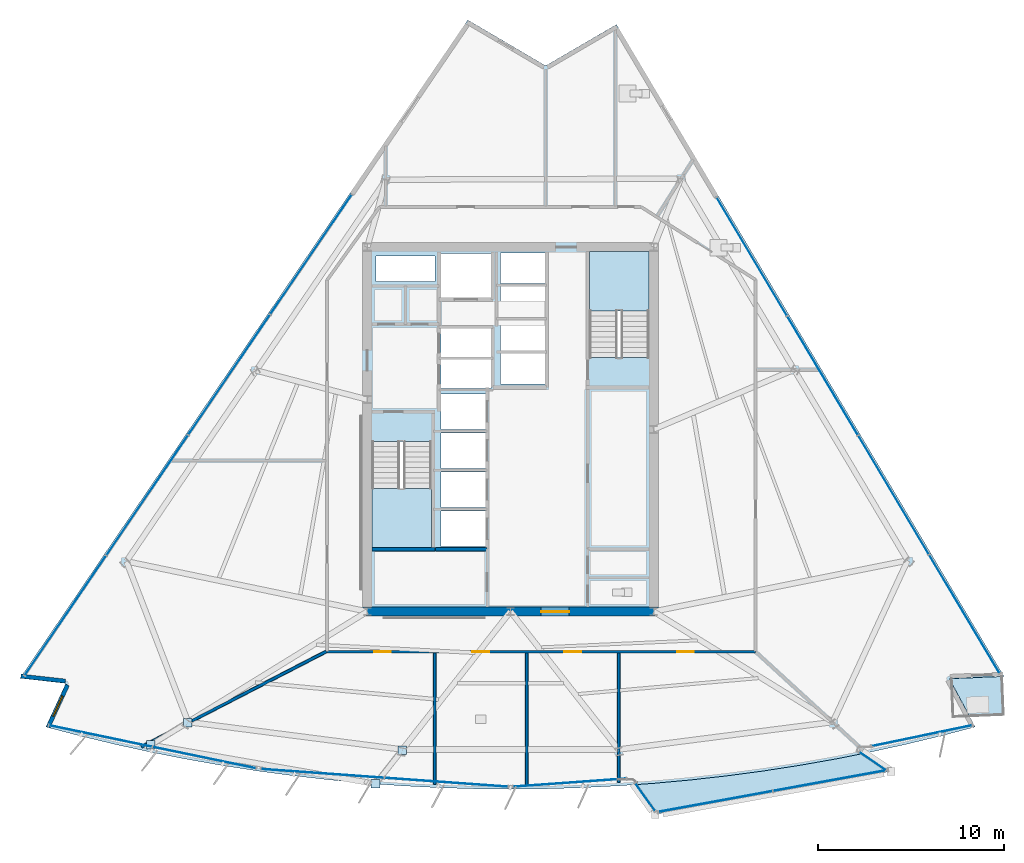
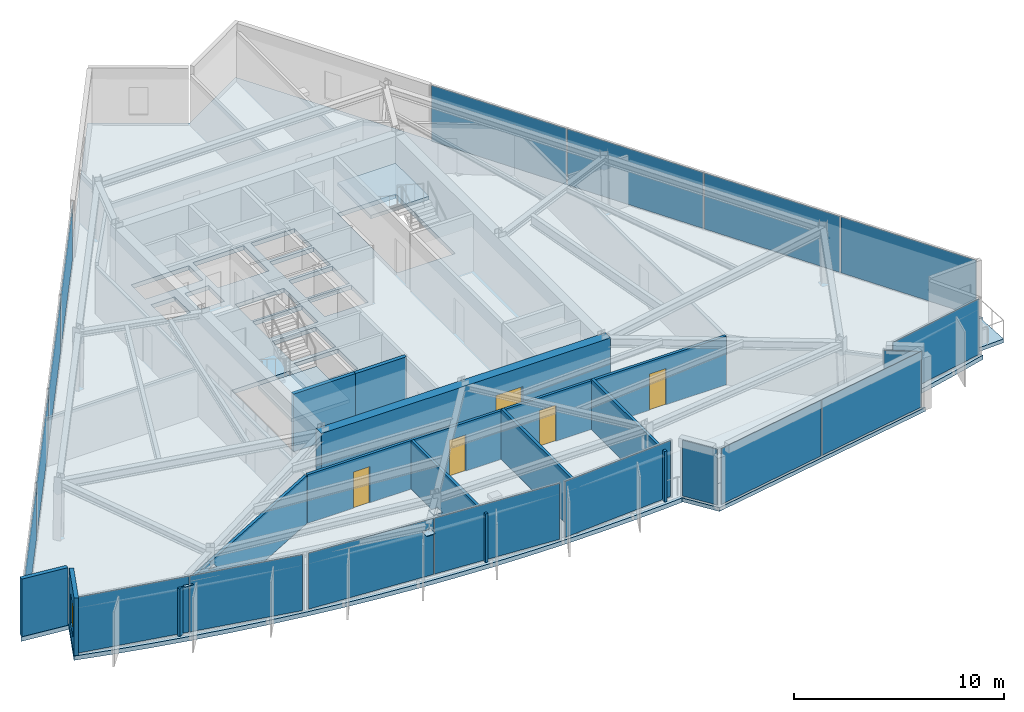
# One storey, part 7 of 13: 22 plates, 10 walls, 5 doors, 5 slabs, 1 window, 6 openings, 11 elements without a shape of their own.
"""IFC4 building model written with IfcOpenShell, lengths in metres."""

from ifc_helpers import new_model, si_unit, direction, frame, frame_2d, origin, origin_2d, place, context, subcontext, project, spatial, polyline, rectangle, outline, extrude, material, layer, layer_set, type_object, element, fill, aggregate, save


model = new_model("IFC4")

# Units and contexts
model_context = context("Model", 3, precision=1e-05, world=origin(), true_north=direction((0.0, 1.0)))
body_context = subcontext(model_context, "Body", "Model", "MODEL_VIEW")
ifc_project = project(units=[si_unit("LENGTHUNIT", "METRE"), si_unit("AREAUNIT", "SQUARE_METRE"), si_unit("VOLUMEUNIT", "CUBIC_METRE"), si_unit("PLANEANGLEUNIT", "RADIAN"), si_unit("MASSUNIT", "GRAM", prefix="KILO")], contexts=[model_context])

# Site, building, storey
site_placement = place(None, origin())
site = spatial("IfcSite", under=ifc_project, at=site_placement, CompositionType="ELEMENT")
building_placement = place(site_placement, origin())
building = spatial("IfcBuilding", under=site, at=building_placement, Name="Savorim Split Tower", CompositionType="ELEMENT")
storey_placement = place(building_placement, frame((0.0, 0.0, 174.60009765625)))
storey = spatial("IfcBuildingStorey", under=building, at=storey_placement, Name="L46", CompositionType="ELEMENT", Elevation=174.60009765625)

# Curtain wall, plates
ifc_material_1 = material(Name="Dark Ceramic-Fritted Insulated Glass", Category="glass")
curtain_wall_type_1 = type_object("IfcCurtainWallType", Name="CW-TWR-FRIT-B", PredefinedType="NOTDEFINED", material=ifc_material_1)
curtain_wall_1_placement = place(storey_placement, origin())
curtain_wall_1 = element("IfcCurtainWall", 1, at=curtain_wall_1_placement, inside=storey, type_object=curtain_wall_type_1, Name="L46 Curtain Wall CW-L46-SF1A", PredefinedType="NOTDEFINED")
ifc_layer_1 = layer(ifc_material_1, 0.02587890625)
ifc_layer_set_1 = layer_set([ifc_layer_1], Name="CWP-FRITB-26")
plate_type_1 = type_object("IfcPlateType", Name="CWP-FRITB-26", PredefinedType="CURTAIN_PANEL", material=ifc_layer_set_1)
plate_1_placement = place(storey_placement, frame((-22.048583984375, -16.09619140625, 0.0498046875), z_axis=(0.0, 0.0, 1.0), x_axis=(0.979133837467, -0.20321645683, 0.0)))
plate_1 = element("IfcPlate", 2, at=plate_1_placement, type_object=plate_type_1, Name="CW-03 panel 1.1", PredefinedType="CURTAIN_PANEL", context=body_context, shape_type="SweptSolid", body=[
    extrude(rectangle(XDim=5.642333984375, YDim=0.02587890625, at=origin_2d()), origin(), (0.0, 0.0, 1.0), 3.25),
])
plate_2_placement = place(storey_placement, frame((-16.46533203125, -17.255126953125, 0.0498046875), z_axis=(0.0, 0.0, 1.0), x_axis=(0.979133837467, -0.20321645683, 0.0)))
plate_2 = element("IfcPlate", 3, at=plate_2_placement, type_object=plate_type_1, Name="CW-03 panel 2.1", PredefinedType="CURTAIN_PANEL", context=body_context, shape_type="SweptSolid", body=[
    extrude(rectangle(XDim=5.642333984375, YDim=0.02587890625, at=origin_2d()), origin(), (0.0, 0.0, 1.0), 3.25),
])
aggregate(curtain_wall_1, [plate_1, plate_2])

curtain_wall_2_placement = place(storey_placement, origin())
curtain_wall_2 = element("IfcCurtainWall", 4, at=curtain_wall_2_placement, inside=storey, type_object=curtain_wall_type_1, Name="L46 Curtain Wall CW-L46-SF2A", PredefinedType="NOTDEFINED")
plate_3_placement = place(storey_placement, frame((-10.104736328125, -18.106689453125, 0.0498046875), z_axis=(0.0, 0.0, 1.0), x_axis=(0.997436348097, -0.07155928658, 0.0)))
plate_3 = element("IfcPlate", 5, at=plate_3_placement, type_object=plate_type_1, Name="CW-03 panel 1.1", PredefinedType="CURTAIN_PANEL", context=body_context, shape_type="SweptSolid", body=[
    extrude(rectangle(XDim=6.61279296875, YDim=0.02587890625, at=origin_2d()), origin(), (0.0, 0.0, 1.0), 3.25),
])
plate_4_placement = place(storey_placement, frame((-3.448974609375, -18.584228515625, 0.0498046875), z_axis=(0.0, 0.0, 1.0), x_axis=(0.997436348097, -0.07155928658, 0.0)))
plate_4 = element("IfcPlate", 6, at=plate_4_placement, type_object=plate_type_1, Name="CW-03 panel 2.1", PredefinedType="CURTAIN_PANEL", context=body_context, shape_type="SweptSolid", body=[
    extrude(rectangle(XDim=6.61279296875, YDim=0.02587890625, at=origin_2d()), origin(), (0.0, 0.0, 1.0), 3.25),
])
aggregate(curtain_wall_2, [plate_3, plate_4])

# Curtain wall, plate
curtain_wall_3_placement = place(storey_placement, origin())
curtain_wall_3 = element("IfcCurtainWall", 7, at=curtain_wall_3_placement, inside=storey, type_object=curtain_wall_type_1, Name="L46 Curtain Wall CW-L46-SF3A", PredefinedType="NOTDEFINED")
plate_5_placement = place(storey_placement, frame((3.1806640625, -18.603515625, 0.0498046875), z_axis=(0.0, 0.0, 1.0), x_axis=(0.99743619777, 0.07156138189, 0.0)))
plate_5 = element("IfcPlate", 8, at=plate_5_placement, type_object=plate_type_1, Name="CW-03 panel 1.1", PredefinedType="CURTAIN_PANEL", context=body_context, shape_type="SweptSolid", body=[
    extrude(rectangle(XDim=6.07470703125, YDim=0.02587890625, at=origin_2d()), origin(), (0.0, 0.0, 1.0), 3.25),
])
aggregate(curtain_wall_3, [plate_5])

curtain_wall_4_placement = place(storey_placement, origin())
curtain_wall_4 = element("IfcCurtainWall", 9, at=curtain_wall_4_placement, inside=storey, type_object=curtain_wall_type_1, Name="L46 Curtain Wall CW-L46-SF4A", PredefinedType="NOTDEFINED")
plate_6_placement = place(storey_placement, frame((22.120849609375, -16.081298828125, 0.0498046875), z_axis=(0.0, 0.0, 1.0), x_axis=(0.979132901408, 0.203220966883, 0.0)))
plate_6 = element("IfcPlate", 10, at=plate_6_placement, type_object=plate_type_1, Name="CW-03 panel 1.1", PredefinedType="CURTAIN_PANEL", context=body_context, shape_type="SweptSolid", body=[
    extrude(rectangle(XDim=5.4951171875, YDim=0.02587890625, at=origin_2d()), origin(), (0.0, 0.0, 1.0), 3.25),
])
aggregate(curtain_wall_4, [plate_6])

# Curtain wall, plates
curtain_wall_5_placement = place(storey_placement, origin())
curtain_wall_5 = element("IfcCurtainWall", 11, at=curtain_wall_5_placement, inside=storey, type_object=curtain_wall_type_1, Name="L46 Curtain Wall CW-L46-EAST", PredefinedType="NOTDEFINED")
plate_7_placement = place(storey_placement, frame((24.410400390625, -9.536865234375, 0.0498046875), z_axis=(0.0, 0.0, 1.0), x_axis=(-0.511093786039, 0.85952495128, 0.0)))
plate_7 = element("IfcPlate", 12, at=plate_7_placement, type_object=plate_type_1, Name="CW-03 panel 1.1", PredefinedType="CURTAIN_PANEL", context=body_context, shape_type="SweptSolid", body=[
    extrude(rectangle(XDim=7.37353515625, YDim=0.02587890625, at=origin_2d()), origin(), (0.0, 0.0, 1.0), 3.25),
])
plate_8_placement = place(storey_placement, frame((20.603515625, -3.134765625, 0.0498046875), z_axis=(0.0, 0.0, 1.0), x_axis=(-0.511093786039, 0.85952495128, 0.0)))
plate_8 = element("IfcPlate", 13, at=plate_8_placement, type_object=plate_type_1, Name="CW-03 panel 2.1", PredefinedType="CURTAIN_PANEL", context=body_context, shape_type="SweptSolid", body=[
    extrude(rectangle(XDim=7.403564453125, YDim=0.02587890625, at=origin_2d()), origin(), (0.0, 0.0, 1.0), 3.25),
])
plate_9_placement = place(storey_placement, frame((16.7890625, 3.2802734375, 0.0498046875), z_axis=(0.0, 0.0, 1.0), x_axis=(-0.511093786039, 0.85952495128, 0.0)))
plate_9 = element("IfcPlate", 14, at=plate_9_placement, type_object=plate_type_1, Name="CW-03 panel 3.1", PredefinedType="CURTAIN_PANEL", context=body_context, shape_type="SweptSolid", body=[
    extrude(rectangle(XDim=7.403564453125, YDim=0.02587890625, at=origin_2d()), origin(), (0.0, 0.0, 1.0), 3.25),
])
plate_10_placement = place(storey_placement, frame((12.982177734375, 9.682373046875, 0.0498046875), z_axis=(0.0, 0.0, 1.0), x_axis=(-0.511093786039, 0.85952495128, 0.0)))
plate_10 = element("IfcPlate", 15, at=plate_10_placement, type_object=plate_type_1, Name="CW-03 panel 4.1", PredefinedType="CURTAIN_PANEL", context=body_context, shape_type="SweptSolid", body=[
    extrude(rectangle(XDim=7.37353515625, YDim=0.02587890625, at=origin_2d()), origin(), (0.0, 0.0, 1.0), 3.25),
])
aggregate(curtain_wall_5, [plate_7, plate_8, plate_9, plate_10])

curtain_wall_6_placement = place(storey_placement, origin())
curtain_wall_6 = element("IfcCurtainWall", 16, at=curtain_wall_6_placement, inside=storey, type_object=curtain_wall_type_1, Name="L46 Curtain Wall CW-L46-WEST", PredefinedType="NOTDEFINED")
plate_11_placement = place(storey_placement, frame((-10.730224609375, 9.800048828125, 0.0498046875), z_axis=(0.0, 0.0, 1.0), x_axis=(-0.562467714384, -0.826819248854, 0.0)))
plate_11 = element("IfcPlate", 17, at=plate_11_placement, type_object=plate_type_1, Name="CW-03 panel 1.1", PredefinedType="CURTAIN_PANEL", context=body_context, shape_type="SweptSolid", body=[
    extrude(rectangle(XDim=7.74951171875, YDim=0.02587890625, at=origin_2d()), origin(), (0.0, 0.0, 1.0), 3.25),
])
plate_12_placement = place(storey_placement, frame((-15.13134765625, 3.33056640625, 0.0498046875), z_axis=(0.0, 0.0, 1.0), x_axis=(-0.562467714384, -0.826819248854, 0.0)))
plate_12 = element("IfcPlate", 18, at=plate_12_placement, type_object=plate_type_1, Name="CW-03 panel 2.1", PredefinedType="CURTAIN_PANEL", context=body_context, shape_type="SweptSolid", body=[
    extrude(rectangle(XDim=7.779541015625, YDim=0.02587890625, at=origin_2d()), origin(), (0.0, 0.0, 1.0), 3.25),
])
plate_13_placement = place(storey_placement, frame((-19.540771484375, -3.1513671875, 0.0498046875), z_axis=(0.0, 0.0, 1.0), x_axis=(-0.562467714384, -0.826819248854, 0.0)))
plate_13 = element("IfcPlate", 19, at=plate_13_placement, type_object=plate_type_1, Name="CW-03 panel 3.1", PredefinedType="CURTAIN_PANEL", context=body_context, shape_type="SweptSolid", body=[
    extrude(rectangle(XDim=7.779541015625, YDim=0.02587890625, at=origin_2d()), origin(), (0.0, 0.0, 1.0), 3.25),
])
plate_14_placement = place(storey_placement, frame((-23.94189453125, -9.620849609375, 0.0498046875), z_axis=(0.0, 0.0, 1.0), x_axis=(-0.562467714384, -0.826819248854, 0.0)))
plate_14 = element("IfcPlate", 20, at=plate_14_placement, type_object=plate_type_1, Name="CW-03 panel 4.1", PredefinedType="CURTAIN_PANEL", context=body_context, shape_type="SweptSolid", body=[
    extrude(rectangle(XDim=7.74951171875, YDim=0.02587890625, at=origin_2d()), origin(), (0.0, 0.0, 1.0), 3.25),
])
aggregate(curtain_wall_6, [plate_11, plate_12, plate_13, plate_14])

curtain_wall_type_2 = type_object("IfcCurtainWallType", Name="CW-BAY-LOUNGE", PredefinedType="NOTDEFINED", material=ifc_material_1)
curtain_wall_7_placement = place(storey_placement, origin())
curtain_wall_7 = element("IfcCurtainWall", 21, at=curtain_wall_7_placement, inside=storey, type_object=curtain_wall_type_2, Name="L46 Curtain Wall CW-L46-BAYF", PredefinedType="NOTDEFINED")
ifc_material_2 = material(Name="Low-E Operable Double Glazing", Category="glass")
ifc_layer_2 = layer(ifc_material_2, 0.031982421875)
ifc_layer_set_2 = layer_set([ifc_layer_2], Name="CWP-POD-32")
plate_type_2 = type_object("IfcPlateType", Name="CWP-POD-32", PredefinedType="CURTAIN_PANEL", material=ifc_layer_set_2)
plate_15_placement = place(storey_placement, frame((11.01416015625, -19.618408203125, 0.0546875), z_axis=(0.0, 0.0, 1.0), x_axis=(0.983754673364, 0.17951808442, 0.0)))
plate_15 = element("IfcPlate", 22, at=plate_15_placement, type_object=plate_type_2, Name="CW-04 panel 1.1", PredefinedType="CURTAIN_PANEL", context=body_context, shape_type="SweptSolid", body=[
    extrude(rectangle(XDim=6.22412109375, YDim=0.031982421875, at=origin_2d()), origin(), (0.0, 0.0, 1.0), 3.239990234375),
])
plate_16_placement = place(storey_placement, frame((17.201171875, -18.489501953125, 0.0546875), z_axis=(0.0, 0.0, 1.0), x_axis=(0.983754673364, 0.17951808442, 0.0)))
plate_16 = element("IfcPlate", 23, at=plate_16_placement, type_object=plate_type_2, Name="CW-04 panel 2.1", PredefinedType="CURTAIN_PANEL", context=body_context, shape_type="SweptSolid", body=[
    extrude(rectangle(XDim=6.22412109375, YDim=0.031982421875, at=origin_2d()), origin(), (0.0, 0.0, 1.0), 3.239990234375),
])
aggregate(curtain_wall_7, [plate_15, plate_16])

# Curtain wall, plate
curtain_wall_8_placement = place(storey_placement, origin())
curtain_wall_8 = element("IfcCurtainWall", 24, at=curtain_wall_8_placement, inside=storey, type_object=curtain_wall_type_2, Name="L46 Curtain Wall CW-L46-BAYW", PredefinedType="NOTDEFINED")
plate_17_placement = place(storey_placement, frame((7.248291015625, -19.3798828125, 0.0546875), z_axis=(0.0, 0.0, 1.0), x_axis=(0.581096777176, -0.813834464468, 0.0)))
plate_17 = element("IfcPlate", 25, at=plate_17_placement, type_object=plate_type_2, Name="CW-04 panel 1.1", PredefinedType="CURTAIN_PANEL", context=body_context, shape_type="SweptSolid", body=[
    extrude(rectangle(XDim=1.81005859375, YDim=0.031982421875, at=origin_2d()), origin(), (0.0, 0.0, 1.0), 3.239990234375),
])
aggregate(curtain_wall_8, [plate_17])

curtain_wall_9_placement = place(storey_placement, origin())
curtain_wall_9 = element("IfcCurtainWall", 26, at=curtain_wall_9_placement, inside=storey, type_object=curtain_wall_type_2, Name="L46 Curtain Wall CW-L46-BAYE", PredefinedType="NOTDEFINED")
plate_18_placement = place(storey_placement, frame((19.4755859375, -17.45166015625, 0.0546875), z_axis=(0.0, 0.0, 1.0), x_axis=(-0.829416830494, 0.558630218743, 0.0)))
plate_18 = element("IfcPlate", 27, at=plate_18_placement, type_object=plate_type_2, Name="CW-04 panel 1.1", PredefinedType="CURTAIN_PANEL", context=body_context, shape_type="SweptSolid", body=[
    extrude(rectangle(XDim=1.705078125, YDim=0.031982421875, at=origin_2d()), origin(), (0.0, 0.0, 1.0), 3.239990234375),
])
aggregate(curtain_wall_9, [plate_18])

# Plates
ifc_material_3 = material(Name="Steel S460", Category="steel")
ifc_layer_3 = layer(ifc_material_3, 0.02490234375)
ifc_layer_set_3 = layer_set([ifc_layer_3], Name="PLT-NODE-CN1")
plate_type_3 = type_object("IfcPlateType", Name="PLT-NODE-CN1", PredefinedType="SHEET", material=ifc_layer_set_3)
for number, where, z_axis, x_axis, name in (
    (28, (-17.36279296875, -15.381103515625, 2.4375), (0.0, 0.0, 1.0), (1.0, 0.0, 0.0), "L46 Bay Strut Column Gusset Plate 1"),
    (29, (-19.3388671875, -16.574951171875, 2.807373046875), (0.0, 0.0, 1.0), (1.0, 0.0, 0.0), "L46 Bay Strut Tip Gusset Plate 1"),
    (30, (-5.819091796875, -16.86328125, 2.4375), (0.0, 0.0, 1.0), (1.0, 0.0, 0.0), "L46 Bay Strut Column Gusset Plate 2"),
    (31, (-7.259765625, -18.672119140625, 2.807373046875), (0.0, 0.0, 1.0), (1.0, 0.0, 0.0), "L46 Bay Strut Tip Gusset Plate 2"),
):
    element("IfcPlate", number, at=place(storey_placement, frame(where, z_axis=z_axis, x_axis=x_axis)), inside=storey, type_object=plate_type_3, Name=name, PredefinedType="SHEET", context=body_context, shape_type="SweptSolid", body=[
        extrude(rectangle(XDim=0.4599609375, YDim=0.4599609375, at=origin_2d()), origin(), (0.0, 0.0, 1.0), 0.02490234375),
    ])

# Slabs
ifc_material_4 = material(Name="Concrete C50/60", Category="concrete")
ifc_layer_4 = layer(ifc_material_4, 0.219970703125)
ifc_layer_set_4 = layer_set([ifc_layer_4], Name="SLB-BAL-220")
slab_type_1 = type_object("IfcSlabType", Name="SLB-BAL-220", PredefinedType="FLOOR", material=ifc_layer_set_4)
slab_1_placement = place(storey_placement, frame((0.0, 0.0, -0.22021484375)))
element("IfcSlab", 32, at=slab_1_placement, inside=storey, type_object=slab_type_1, Name="L46 Cantilevered Shared Kitchen Lounge Slab", PredefinedType="FLOOR", context=body_context, shape_type="SweptSolid", body=[
    extrude(outline(polyline([(19.023193359375, -17.026611328125), (17.4091796875, -17.34423828125), (15.4931640625, -17.680908203125), (13.57080078125, -17.978515625), (11.642578125, -18.236328125), (9.709716796875, -18.454833984375), (7.772705078125, -18.6337890625), (6.650146484375, -18.714111328125), (7.78857421875, -20.30859375), (20.462646484375, -17.995849609375), (19.023193359375, -17.026611328125)])), origin(), (0.0, 0.0, 1.0), 0.22021484375),
])
slab_2_placement = place(storey_placement, frame((0.0, 0.0, -0.22021484375)))
element("IfcSlab", 33, at=slab_2_placement, inside=storey, type_object=slab_type_1, Name="L46 Notched Corner Planted Tree Balcony Slab", PredefinedType="FLOOR", context=body_context, shape_type="SweptSolid", body=[
    extrude(outline(polyline([(26.421142578125, -12.89501953125), (23.71826171875, -13.010009765625), (23.72802734375, -13.24169921875), (24.679931640625, -15.01611328125), (26.508056640625, -14.938232421875), (26.421142578125, -12.89501953125)])), origin(), (0.0, 0.0, 1.0), 0.22021484375),
])

# Stair, slab
stair_type = type_object("IfcStairType", Name="STR-DOG-3600", PredefinedType="HALF_TURN_STAIR", material=ifc_material_4)
stair_1_placement = place(storey_placement, origin())
stair_1 = element("IfcStair", 34, at=stair_1_placement, inside=storey, type_object=stair_type, Name="L46 Core Protected Exit Stair ST-1", PredefinedType="HALF_TURN_STAIR")
ifc_layer_5 = layer(ifc_material_4, 0.199951171875)
ifc_layer_set_5 = layer_set([ifc_layer_5], Name="SLB-LND-200")
slab_type_2 = type_object("IfcSlabType", Name="SLB-LND-200", PredefinedType="LANDING", material=ifc_layer_set_5)
slab_3_placement = place(storey_placement, frame((0.0, 0.0, 1.599853515625)))
slab_3 = element("IfcSlab", 35, at=slab_3_placement, type_object=slab_type_2, Name="ST-1 landing 1", PredefinedType="LANDING", context=body_context, shape_type="SweptSolid", body=[
    extrude(outline(polyline([(-7.449951171875, -2.77001953125), (-7.449951171875, -5.949951171875), (-4.25, -5.949951171875), (-4.25, -2.77001953125), (-7.449951171875, -2.77001953125)])), origin(), (0.0, 0.0, 1.0), 0.199951171875),
])
aggregate(stair_1, [slab_3])

stair_2_placement = place(storey_placement, origin())
stair_2 = element("IfcStair", 36, at=stair_2_placement, inside=storey, type_object=stair_type, Name="L46 Core Protected Exit Stair ST-2", PredefinedType="HALF_TURN_STAIR")
slab_4_placement = place(storey_placement, frame((0.0, 0.0, 1.599853515625)))
slab_4 = element("IfcSlab", 37, at=slab_4_placement, type_object=slab_type_2, Name="ST-2 landing 1", PredefinedType="LANDING", context=body_context, shape_type="SweptSolid", body=[
    extrude(outline(polyline([(7.449951171875, 6.77001953125), (7.449951171875, 9.949951171875), (4.25, 9.949951171875), (4.25, 6.77001953125), (7.449951171875, 6.77001953125)])), origin(), (0.0, 0.0, 1.0), 0.199951171875),
])
aggregate(stair_2, [slab_4])

# Slab
ifc_layer_6 = layer(ifc_material_4, 0.25)
ifc_layer_set_6 = layer_set([ifc_layer_6], Name="SLB-TWR-250")
slab_type_3 = type_object("IfcSlabType", Name="SLB-TWR-250", PredefinedType="FLOOR", material=ifc_layer_set_6)
slab_5_placement = place(storey_placement, frame((0.0, 0.0, -0.25)))
element("IfcSlab", 38, at=slab_5_placement, inside=storey, type_object=slab_type_3, Name="L46 Structural Floor Slab", PredefinedType="FLOOR", context=body_context, shape_type="SweptSolid", body=[
    extrude(outline(polyline([(-24.991943359375, -15.60791015625), (-23.110107421875, -16.10009765625), (-21.21826171875, -16.5537109375), (-19.31787109375, -16.968505859375), (-17.4091796875, -17.34423828125), (-15.4931640625, -17.680908203125), (-13.57080078125, -17.978515625), (-11.642578125, -18.236328125), (-9.709716796875, -18.454833984375), (-7.772705078125, -18.6337890625), (-5.832275390625, -18.77294921875), (-3.8896484375, -18.872314453125), (-1.9453125, -18.93212890625), (0.0, -18.951904296875), (1.9453125, -18.93212890625), (3.8896484375, -18.872314453125), (5.832275390625, -18.77294921875), (7.772705078125, -18.6337890625), (9.709716796875, -18.454833984375), (11.642578125, -18.236328125), (13.57080078125, -17.978515625), (15.4931640625, -17.680908203125), (17.4091796875, -17.34423828125), (19.31787109375, -16.968505859375), (21.21826171875, -16.5537109375), (23.110107421875, -16.10009765625), (24.991943359375, -15.60791015625), (23.59814453125, -13.01025390625), (26.541015625, -12.885009765625), (5.697021484375, 22.1689453125), (1.89208984375, 19.951416015625), (-2.29541015625, 22.41259765625), (-26.378173828125, -12.988525390625), (-23.914794921875, -13.263671875), (-24.991943359375, -15.60791015625)]), holes=[polyline([(-7.449951171875, -0.25390625), (-7.449951171875, -5.949951171875), (-4.25, -5.949951171875), (-4.25, -0.25390625), (-7.449951171875, -0.25390625)]), polyline([(7.449951171875, 4.25390625), (7.449951171875, 9.949951171875), (4.25, 9.949951171875), (4.25, 4.25390625), (7.449951171875, 4.25390625)]), polyline([(-3.75, -5.89990234375), (-1.35009765625, -5.89990234375), (-1.35009765625, -4.0), (-3.75, -4.0), (-3.75, -5.89990234375)]), polyline([(-3.75, -3.800048828125), (-1.35009765625, -3.800048828125), (-1.35009765625, -1.89990234375), (-3.75, -1.89990234375), (-3.75, -3.800048828125)]), polyline([(-3.75, -1.699951171875), (-1.35009765625, -1.699951171875), (-1.35009765625, 0.199951171875), (-3.75, 0.199951171875), (-3.75, -1.699951171875)]), polyline([(-3.75, 0.39990234375), (-1.35009765625, 0.39990234375), (-1.35009765625, 2.300048828125), (-3.75, 2.300048828125), (-3.75, 0.39990234375)]), polyline([(-0.550048828125, 2.830078125), (1.85009765625, 2.830078125), (1.85009765625, 4.469970703125), (-0.550048828125, 4.469970703125), (-0.550048828125, 2.830078125)]), polyline([(-0.550048828125, 4.6298828125), (1.85009765625, 4.6298828125), (1.85009765625, 6.27001953125), (-0.550048828125, 6.27001953125), (-0.550048828125, 4.6298828125)]), polyline([(-0.550048828125, 6.429931640625), (1.85009765625, 6.429931640625), (1.85009765625, 8.070068359375), (-0.550048828125, 8.070068359375), (-0.550048828125, 6.429931640625)]), polyline([(-0.550048828125, 8.22998046875), (1.85009765625, 8.22998046875), (1.85009765625, 9.8701171875), (-0.550048828125, 9.8701171875), (-0.550048828125, 8.22998046875)]), polyline([(-3.75, 2.60009765625), (-1.050048828125, 2.60009765625), (-1.050048828125, 4.159912109375), (-3.75, 4.159912109375), (-3.75, 2.60009765625)]), polyline([(-3.75, 4.280029296875), (-1.050048828125, 4.280029296875), (-1.050048828125, 5.840087890625), (-3.75, 5.840087890625), (-3.75, 4.280029296875)]), polyline([(-3.75, 7.449951171875), (-0.949951171875, 7.449951171875), (-0.949951171875, 9.85009765625), (-3.75, 9.85009765625), (-3.75, 7.449951171875)]), polyline([(-7.219970703125, 6.320068359375), (-5.919921875, 6.320068359375), (-5.919921875, 7.820068359375), (-7.219970703125, 7.820068359375), (-7.219970703125, 6.320068359375)]), polyline([(-5.3798828125, 6.320068359375), (-4.050048828125, 6.320068359375), (-4.050048828125, 7.820068359375), (-5.3798828125, 7.820068359375), (-5.3798828125, 6.320068359375)]), polyline([(-7.219970703125, 8.360107421875), (-4.050048828125, 8.360107421875), (-4.050048828125, 9.719970703125), (-7.219970703125, 9.719970703125), (-7.219970703125, 8.360107421875)])]), origin(), (0.0, 0.0, 1.0), 0.25),
])

# Wall, opening, door
ifc_material_5 = material(Name="Concrete C60/75", Category="concrete")
ifc_layer_7 = layer(ifc_material_5, 0.5)
ifc_layer_set_7 = layer_set([ifc_layer_7], Name="WAL-COR-SH500")
wall_type_1 = type_object("IfcWallType", Name="WAL-COR-SH500", PredefinedType="SHEAR", material=ifc_layer_set_7)
wall_1_placement = place(storey_placement, frame((-7.949951171875, -9.39990234375, 0.0), z_axis=(0.0, 0.0, 1.0), x_axis=(1.0, 0.0, 0.0)))
wall_1 = element("IfcWall", 39, at=wall_1_placement, inside=storey, type_object=wall_type_1, Name="L46 Offset Core South Shear Wall", PredefinedType="SHEAR", context=body_context, shape_type="SweptSolid", body=[
    extrude(rectangle(XDim=15.89990234375, YDim=0.5, at=frame_2d((7.949951171875, 0.0))), origin(), (0.0, 0.0, 1.0), 3.349853515625),
])
opening_1_placement = place(wall_1_placement, frame((9.60009765625, 0.0, 0.0)))
opening_1 = element("IfcOpeningElement", 40, at=opening_1_placement, cuts=wall_1, Name="Opening DI-02", PredefinedType="OPENING", context=body_context, shape_type="SweptSolid", body=[
    extrude(rectangle(XDim=1.5, YDim=2.199951171875, at=frame_2d((0.75, 1.10009765625))), frame((0.0, 0.260009765625, 0.0), z_axis=(0.0, -1.0, 0.0), x_axis=(1.0, 0.0, 0.0)), (0.0, 0.0, 1.0), 0.52001953125),
])
ifc_material_6 = material(Name="Timber Fire Door Leaf", Category="wood")
door_type_1 = type_object("IfcDoorType", Name="DOR-DBL-1500", OperationType="NOTDEFINED", PredefinedType="DOOR", material=ifc_material_6)
door_1_placement = place(opening_1_placement, origin())
door_1 = element("IfcDoor", 41, at=door_1_placement, inside=storey, type_object=door_type_1, Name="DOR-L46-COR-LLOB - L46 Lift Lobby Main Rated Door", OperationType="DOUBLE_DOOR_SINGLE_SWING", OverallHeight=2.199951171875, OverallWidth=1.5, PredefinedType="DOOR", context=body_context, shape_type="SweptSolid", body=[
    extrude(rectangle(XDim=1.5, YDim=2.199951171875, at=frame_2d((0.75, 1.10009765625))), frame((0.0, 0.02490234375, 0.0), z_axis=(0.0, -1.0, 0.0), x_axis=(1.0, 0.0, 0.0)), (0.0, 0.0, 1.0), 0.050048828125),
])
fill(opening_1, door_1)

# Wall
ifc_material_7 = material(Name="Precast concrete C40/50", Category="concrete")
ifc_layer_8 = layer(ifc_material_7, 0.219970703125)
ifc_layer_set_8 = layer_set([ifc_layer_8], Name="WAL-EXT-CRN220")
wall_type_2 = type_object("IfcWallType", Name="WAL-EXT-CRN220", PredefinedType="SOLIDWALL", material=ifc_layer_set_8)
wall_2_placement = place(storey_placement, frame((-23.94140625, -13.139892578125, 0.0), z_axis=(0.0, 0.0, 1.0), x_axis=(-0.993825249999, 0.110956624245, 0.0)))
element("IfcWall", 42, at=wall_2_placement, inside=storey, type_object=wall_type_2, Name="L46 Notched Corner Facade Wall SW1", PredefinedType="SOLIDWALL", context=body_context, shape_type="SweptSolid", body=[
    extrude(rectangle(XDim=2.3984375, YDim=0.219970703125, at=frame_2d((1.19921875, 0.0))), origin(), (0.0, 0.0, 1.0), 3.349853515625),
])

# Wall, opening, window
wall_3_placement = place(storey_placement, frame((-24.8662109375, -15.621826171875, 0.0), z_axis=(0.0, 0.0, 1.0), x_axis=(0.417478378529, 0.908686856657, 0.0)))
wall_3 = element("IfcWall", 43, at=wall_3_placement, inside=storey, type_object=wall_type_2, Name="L46 Notched Corner Facade Wall SW", PredefinedType="SOLIDWALL", context=body_context, shape_type="SweptSolid", body=[
    extrude(rectangle(XDim=2.5, YDim=0.219970703125, at=frame_2d((1.25, 0.0))), origin(), (0.0, 0.0, 1.0), 3.349853515625),
])
opening_2_placement = place(wall_3_placement, frame((0.64990234375, 0.0, 0.6201171875)))
opening_2 = element("IfcOpeningElement", 44, at=opening_2_placement, cuts=wall_3, Name="Opening WN-08", PredefinedType="OPENING", context=body_context, shape_type="SweptSolid", body=[
    extrude(rectangle(XDim=1.199951171875, YDim=1.800048828125, at=frame_2d((0.60009765625, 0.89990234375))), frame((0.0, 0.119873046875, 0.0), z_axis=(0.0, -1.0, 0.0), x_axis=(1.0, 0.0, 0.0)), (0.0, 0.0, 1.0), 0.239990234375),
])
window_type = type_object("IfcWindowType", Name="WIN-TWR-1200x1800", PartitioningType="SINGLE_PANEL", PredefinedType="WINDOW", material=ifc_material_2)
window_placement = place(opening_2_placement, origin())
window = element("IfcWindow", 45, at=window_placement, inside=storey, type_object=window_type, Name="L46 Operable Corner Window SW", OverallHeight=1.800048828125, OverallWidth=1.199951171875, PartitioningType="SINGLE_PANEL", PredefinedType="WINDOW", context=body_context, shape_type="SweptSolid", body=[
    extrude(rectangle(XDim=1.199951171875, YDim=1.800048828125, at=frame_2d((0.60009765625, 0.89990234375))), frame((0.0, 0.030029296875, 0.0), z_axis=(0.0, -1.0, 0.0), x_axis=(1.0, 0.0, 0.0)), (0.0, 0.0, 1.0), 0.06005859375),
])
fill(opening_2, window)

# Walls
ifc_layer_9 = layer(ifc_material_4, 0.199951171875)
ifc_layer_set_9 = layer_set([ifc_layer_9], Name="WAL-INT-RC200")
wall_type_3 = type_object("IfcWallType", Name="WAL-INT-RC200", PredefinedType="SOLIDWALL", material=ifc_layer_set_9)
wall_4_placement = place(storey_placement, frame((-7.449951171875, -6.050048828125, 0.0), z_axis=(0.0, 0.0, 1.0), x_axis=(1.0, 0.0, 0.0)))
element("IfcWall", 46, at=wall_4_placement, inside=storey, type_object=wall_type_3, Name="L46 Structural Shaft Wall W-L46-KSEP-W", PredefinedType="SOLIDWALL", context=body_context, shape_type="SweptSolid", body=[
    extrude(rectangle(XDim=3.39990234375, YDim=0.199951171875, at=frame_2d((1.699951171875, 0.0))), origin(), (0.0, 0.0, 1.0), 3.349853515625),
])
wall_5_placement = place(storey_placement, frame((-4.0400390625, -6.050048828125, 0.0), z_axis=(0.0, 0.0, 1.0), x_axis=(1.0, 0.0, 0.0)))
element("IfcWall", 47, at=wall_5_placement, inside=storey, type_object=wall_type_3, Name="L46 Partition W-L46-KSEP-W2", PredefinedType="SOLIDWALL", context=body_context, shape_type="SweptSolid", body=[
    extrude(rectangle(XDim=2.7900390625, YDim=0.199951171875, at=frame_2d((1.39501953125, 0.0))), origin(), (0.0, 0.0, 1.0), 3.349853515625),
])

# Wall, openings, doors
ifc_material_8 = material(Name="Acoustic Gypsum Partition Board")
ifc_layer_10 = layer(ifc_material_8, 0.14990234375)
ifc_layer_set_10 = layer_set([ifc_layer_10], Name="WAL-PAR-150")
wall_type_4 = type_object("IfcWallType", Name="WAL-PAR-150", PredefinedType="PARTITIONING", material=ifc_layer_set_10)
wall_6_placement = place(storey_placement, frame((13.179931640625, -11.56005859375, 0.0), z_axis=(0.0, 0.0, 1.0), x_axis=(-1.0, 0.0, 0.0)))
wall_6 = element("IfcWall", 48, at=wall_6_placement, inside=storey, type_object=wall_type_4, Name="L46 Partition W-L46-COR-06", PredefinedType="PARTITIONING", context=body_context, shape_type="SweptSolid", body=[
    extrude(rectangle(XDim=23.0400390625, YDim=0.14990234375, at=frame_2d((11.52001953125, 0.0))), origin(), (0.0, 0.0, 1.0), 2.824951171875),
])
opening_3_placement = place(wall_6_placement, frame((19.610107421875, 0.0, 0.0)))
opening_3 = element("IfcOpeningElement", 49, at=opening_3_placement, cuts=wall_6, Name="Opening DI-06", PredefinedType="OPENING", context=body_context, shape_type="SweptSolid", body=[
    extrude(rectangle(XDim=0.89990234375, YDim=2.10009765625, at=frame_2d((0.449951171875, 1.050048828125))), frame((0.0, 0.0849609375, 0.0), z_axis=(0.0, -1.0, 0.0), x_axis=(1.0, 0.0, 0.0)), (0.0, 0.0, 1.0), 0.169921875),
])
opening_4_placement = place(wall_6_placement, frame((14.3330078125, 0.0, 0.0)))
opening_4 = element("IfcOpeningElement", 50, at=opening_4_placement, cuts=wall_6, Name="Opening DI-06", PredefinedType="OPENING", context=body_context, shape_type="SweptSolid", body=[
    extrude(rectangle(XDim=0.89990234375, YDim=2.10009765625, at=frame_2d((0.449951171875, 1.050048828125))), frame((0.0, 0.0849609375, 0.0), z_axis=(0.0, -1.0, 0.0), x_axis=(1.0, 0.0, 0.0)), (0.0, 0.0, 1.0), 0.169921875),
])
opening_5_placement = place(wall_6_placement, frame((9.3818359375, 0.0, 0.0)))
opening_5 = element("IfcOpeningElement", 51, at=opening_5_placement, cuts=wall_6, Name="Opening DI-06", PredefinedType="OPENING", context=body_context, shape_type="SweptSolid", body=[
    extrude(rectangle(XDim=0.89990234375, YDim=2.10009765625, at=frame_2d((0.449951171875, 1.050048828125))), frame((0.0, 0.0849609375, 0.0), z_axis=(0.0, -1.0, 0.0), x_axis=(1.0, 0.0, 0.0)), (0.0, 0.0, 1.0), 0.169921875),
])
opening_6_placement = place(wall_6_placement, frame((3.3173828125, 0.0, 0.0)))
opening_6 = element("IfcOpeningElement", 52, at=opening_6_placement, cuts=wall_6, Name="Opening DI-06", PredefinedType="OPENING", context=body_context, shape_type="SweptSolid", body=[
    extrude(rectangle(XDim=0.89990234375, YDim=2.10009765625, at=frame_2d((0.449951171875, 1.050048828125))), frame((0.0, 0.0849609375, 0.0), z_axis=(0.0, -1.0, 0.0), x_axis=(1.0, 0.0, 0.0)), (0.0, 0.0, 1.0), 0.169921875),
])
door_type_2 = type_object("IfcDoorType", Name="DOR-FIR-900", OperationType="NOTDEFINED", PredefinedType="DOOR", material=ifc_material_6)
door_2_placement = place(opening_3_placement, origin())
door_2 = element("IfcDoor", 53, at=door_2_placement, inside=storey, type_object=door_type_2, Name="DR-L46-RM02 - L46 Maker Workshop Entry Door", OperationType="SINGLE_SWING_LEFT", OverallHeight=2.10009765625, OverallWidth=0.89990234375, PredefinedType="DOOR", context=body_context, shape_type="SweptSolid", body=[
    extrude(rectangle(XDim=0.89990234375, YDim=2.10009765625, at=frame_2d((0.449951171875, 1.050048828125))), frame((0.0, 0.02490234375, 0.0), z_axis=(0.0, -1.0, 0.0), x_axis=(1.0, 0.0, 0.0)), (0.0, 0.0, 1.0), 0.050048828125),
])
fill(opening_3, door_2)
door_3_placement = place(opening_4_placement, origin())
door_3 = element("IfcDoor", 54, at=door_3_placement, inside=storey, type_object=door_type_2, Name="DR-L46-RM03 - L46 Shared Kitchen Entry Door", OperationType="SINGLE_SWING_RIGHT", OverallHeight=2.10009765625, OverallWidth=0.89990234375, PredefinedType="DOOR", context=body_context, shape_type="SweptSolid", body=[
    extrude(rectangle(XDim=0.89990234375, YDim=2.10009765625, at=frame_2d((0.449951171875, 1.050048828125))), frame((0.0, 0.02490234375, 0.0), z_axis=(0.0, -1.0, 0.0), x_axis=(1.0, 0.0, 0.0)), (0.0, 0.0, 1.0), 0.050048828125),
])
fill(opening_4, door_3)
door_4_placement = place(opening_5_placement, origin())
door_4 = element("IfcDoor", 55, at=door_4_placement, inside=storey, type_object=door_type_2, Name="DR-L46-RM04 - L46 Co-Living Bedroom Entry Door", OperationType="SINGLE_SWING_LEFT", OverallHeight=2.10009765625, OverallWidth=0.89990234375, PredefinedType="DOOR", context=body_context, shape_type="SweptSolid", body=[
    extrude(rectangle(XDim=0.89990234375, YDim=2.10009765625, at=frame_2d((0.449951171875, 1.050048828125))), frame((0.0, 0.02490234375, 0.0), z_axis=(0.0, -1.0, 0.0), x_axis=(1.0, 0.0, 0.0)), (0.0, 0.0, 1.0), 0.050048828125),
])
fill(opening_5, door_4)
door_5_placement = place(opening_6_placement, origin())
door_5 = element("IfcDoor", 56, at=door_5_placement, inside=storey, type_object=door_type_2, Name="DR-L46-RM05 - L46 Maker Workshop Entry Door", OperationType="SINGLE_SWING_RIGHT", OverallHeight=2.10009765625, OverallWidth=0.89990234375, PredefinedType="DOOR", context=body_context, shape_type="SweptSolid", body=[
    extrude(rectangle(XDim=0.89990234375, YDim=2.10009765625, at=frame_2d((0.449951171875, 1.050048828125))), frame((0.0, 0.02490234375, 0.0), z_axis=(0.0, -1.0, 0.0), x_axis=(1.0, 0.0, 0.0)), (0.0, 0.0, 1.0), 0.050048828125),
])
fill(opening_6, door_5)

# Walls
wall_7_placement = place(storey_placement, frame((-9.9033203125, -11.5458984375, 0.0), z_axis=(0.0, 0.0, 1.0), x_axis=(-0.888597997178, -0.45868682062, 0.0)))
element("IfcWall", 57, at=wall_7_placement, inside=storey, type_object=wall_type_4, Name="L46 Partition W-L46-PRAD01", PredefinedType="PARTITIONING", context=body_context, shape_type="SweptSolid", body=[
    extrude(rectangle(XDim=11.190673828125, YDim=0.14990234375, at=frame_2d((5.59521484375, 0.0))), origin(), (0.0, 0.0, 1.0), 2.77490234375),
])
wall_8_placement = place(storey_placement, frame((5.82373046875, -11.6201171875, 0.0), z_axis=(0.0, 0.0, 1.0), x_axis=(0.0, -1.0, 0.0)))
element("IfcWall", 58, at=wall_8_placement, inside=storey, type_object=wall_type_4, Name="L46 Partition W-L46-PRAD03", PredefinedType="PARTITIONING", context=body_context, shape_type="SweptSolid", body=[
    extrude(rectangle(XDim=6.98291015625, YDim=0.14990234375, at=frame_2d((3.491455078125, 0.0))), origin(), (0.0, 0.0, 1.0), 2.934814453125),
])
wall_9_placement = place(storey_placement, frame((-4.078369140625, -11.6201171875, 0.0), z_axis=(0.0, 0.0, 1.0), x_axis=(0.0, -1.0, 0.0)))
element("IfcWall", 59, at=wall_9_placement, inside=storey, type_object=wall_type_4, Name="L46 Partition W-L46-SUB03", PredefinedType="PARTITIONING", context=body_context, shape_type="SweptSolid", body=[
    extrude(rectangle(XDim=7.072265625, YDim=0.14990234375, at=frame_2d((3.5361328125, 0.0))), origin(), (0.0, 0.0, 1.0), 2.824951171875),
])
wall_10_placement = place(storey_placement, frame((0.872802734375, -11.6201171875, 0.0), z_axis=(0.0, 0.0, 1.0), x_axis=(0.0, -1.0, 0.0)))
element("IfcWall", 60, at=wall_10_placement, inside=storey, type_object=wall_type_4, Name="L46 Partition W-L46-SUB05", PredefinedType="PARTITIONING", context=body_context, shape_type="SweptSolid", body=[
    extrude(rectangle(XDim=7.153076171875, YDim=0.14990234375, at=frame_2d((3.57666015625, 0.0))), origin(), (0.0, 0.0, 1.0), 2.9248046875),
])

save(model, "model.ifc")
